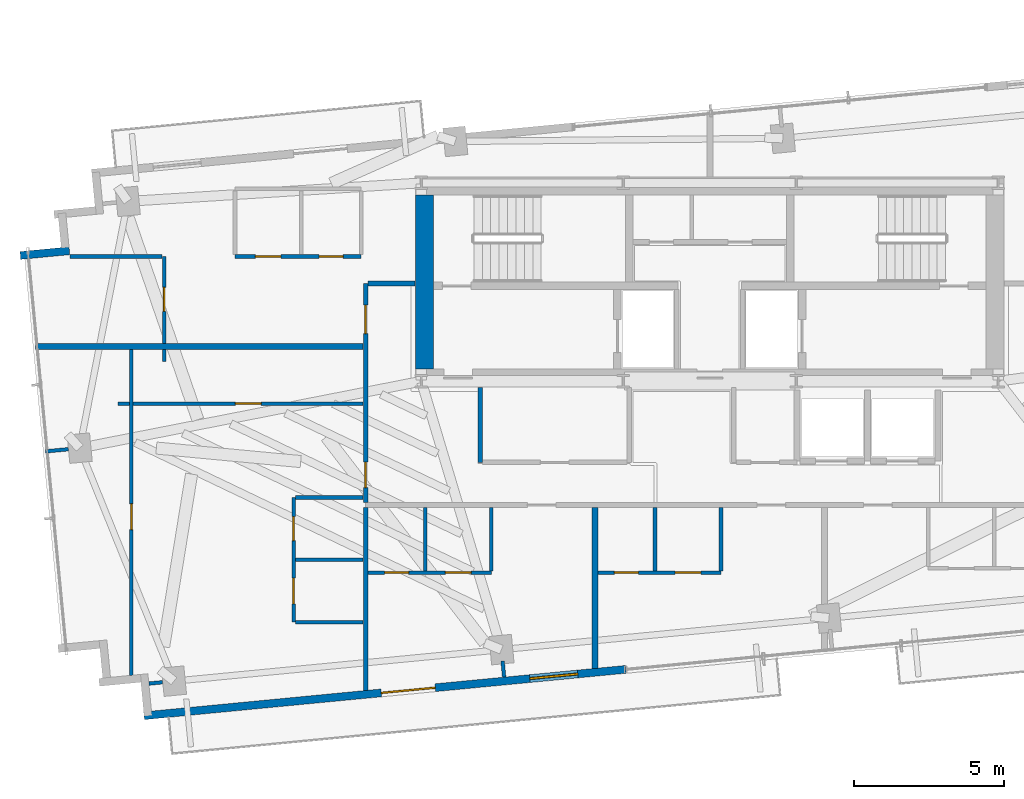
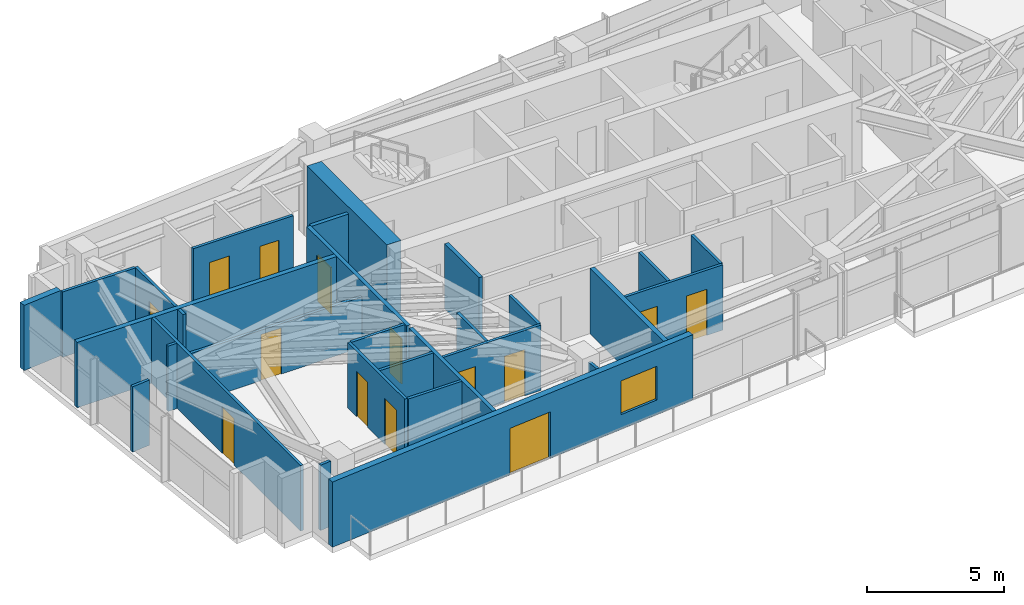
# One storey, part 13 of 18: 29 walls, 14 doors, 1 window, 15 openings.
"""IFC4 building model written with IfcOpenShell, lengths in metres."""

import ifcopenshell
import ifcopenshell.guid

model = None  # the IFC model being written
_history = None  # IfcOwnerHistory: only IFC2X3 demands one
_inside = {}  # id of a spatial element -> (the spatial element, [elements in it])
_under = {}  # id of a project, library or spatial element -> (it, [spatial elements below it])
_declared = {}  # id of a project -> (the project, [libraries it declares])
_typed = {}  # id of a type object -> (the type object, [elements of that type])
_made_of = {}  # id of a material, layer set ... -> (it, [elements and type objects made of it])


def new_model(schema):
    """Start an empty IFC model of exactly this schema.

    Asked for "IFC4X3", IfcOpenShell would pick the latest addendum, in which some entities
    have other attributes; the version numbers below select the first issue.
    IFC2X3 requires an IfcOwnerHistory on every rooted entity: one is made here for all.
    """
    global model, _history
    if schema == "IFC4X3":
        model = ifcopenshell.file(schema_version=(4, 3, 0, 0))
    else:
        model = ifcopenshell.file(schema=schema)
    _inside.clear()
    _under.clear()
    _declared.clear()
    _typed.clear()
    _made_of.clear()
    _history = None
    if model.schema == "IFC2X3":
        org = make("IfcOrganization", Name="unknown")
        user = make(
            "IfcPersonAndOrganization",
            ThePerson=make("IfcPerson", FamilyName="unknown"),
            TheOrganization=org,
        )
        app = make(
            "IfcApplication",
            ApplicationDeveloper=org,
            Version="unknown",
            ApplicationFullName="unknown",
            ApplicationIdentifier="unknown",
        )
        _history = make(
            "IfcOwnerHistory",
            OwningUser=user,
            OwningApplication=app,
            ChangeAction="ADDED",
            CreationDate=0,
        )
    return model


def make(cls, **values):
    """One entity of the class cls with the attributes given. An attribute that is None is left unset."""
    return model.create_entity(
        cls, **{name: value for name, value in values.items() if value is not None}
    )


def rooted(cls, **values):
    """An entity with a GlobalId (a new one), such as an element, a storey or a relation."""
    return make(cls, GlobalId=ifcopenshell.guid.new(), OwnerHistory=_history, **values)


def si_unit(unit_type, name, prefix=None):
    """IfcSIUnit, for example si_unit("LENGTHUNIT", "METRE", prefix="MILLI")."""
    return make("IfcSIUnit", UnitType=unit_type, Prefix=prefix, Name=name)


def assignment(units):
    """IfcUnitAssignment: the units of a project."""
    return None if units is None else make("IfcUnitAssignment", Units=units)


def point(xyz):
    """IfcCartesianPoint."""
    return None if xyz is None else make("IfcCartesianPoint", Coordinates=xyz)


def direction(xyz):
    """IfcDirection."""
    return None if xyz is None else make("IfcDirection", DirectionRatios=xyz)


def frame(location, z_axis=None, x_axis=None):
    """IfcAxis2Placement3D, a coordinate frame: its origin and axes. An axis left out is left unset."""
    return make(
        "IfcAxis2Placement3D",
        Location=point(location),
        Axis=direction(z_axis),
        RefDirection=direction(x_axis),
    )


def frame_2d(location, x_axis=None):
    """IfcAxis2Placement2D, a coordinate frame in the plane: its origin and x axis."""
    return make(
        "IfcAxis2Placement2D", Location=point(location), RefDirection=direction(x_axis)
    )


def origin():
    """The frame at (0, 0, 0) with its axes left unset."""
    return frame((0.0, 0.0, 0.0))


def place(relative_to, where):
    """IfcLocalPlacement: puts the frame where relative to a parent placement (None: the world)."""
    return make(
        "IfcLocalPlacement", PlacementRelTo=relative_to, RelativePlacement=where
    )


def context(
    kind, dimensions, precision=None, world=None, true_north=None, identifier=None
):
    """IfcGeometricRepresentationContext, for example the 3D "Model" context."""
    return make(
        "IfcGeometricRepresentationContext",
        ContextIdentifier=identifier,
        ContextType=kind,
        CoordinateSpaceDimension=dimensions,
        Precision=precision,
        WorldCoordinateSystem=world,
        TrueNorth=true_north,
    )


def subcontext(parent, identifier, kind, view, scale=None):
    """IfcGeometricRepresentationSubContext, for example "Body" below "Model"."""
    return make(
        "IfcGeometricRepresentationSubContext",
        ContextIdentifier=identifier,
        ContextType=kind,
        ParentContext=parent,
        TargetScale=scale,
        TargetView=view,
    )


def project(units=None, contexts=None):
    """IfcProject with its units and contexts."""
    return rooted(
        "IfcProject",
        Name="project",
        RepresentationContexts=contexts,
        UnitsInContext=assignment(units),
    )


def spatial(cls, under=None, at=None, **own):
    """A site, building, storey or space (cls), placed at a placement, below another one or the project."""
    s = rooted(cls, ObjectPlacement=at, **own)
    if under is not None:
        _under.setdefault(under.id(), (under, []))[1].append(s)
    return s


def profile(cls, at=None, kind="AREA", **sizes):
    """A parametric profile (cls). Its sizes go by their IFC names, for example OverallWidth=200.0."""
    return make(cls, ProfileType=kind, Position=at, **sizes)


def rectangle(**sizes):
    """IfcRectangleProfileDef."""
    return profile("IfcRectangleProfileDef", **sizes)


def extrude(swept, where, along, depth):
    """IfcExtrudedAreaSolid: the profile swept, set in the frame where, extruded along a direction by depth."""
    return make(
        "IfcExtrudedAreaSolid",
        SweptArea=swept,
        Position=where,
        ExtrudedDirection=direction(along),
        Depth=depth,
    )


def shape(context_of_items, identifier, shape_type, items):
    """IfcShapeRepresentation: the items that make up one representation, for example the "Body"."""
    return make(
        "IfcShapeRepresentation",
        ContextOfItems=context_of_items,
        RepresentationIdentifier=identifier,
        RepresentationType=shape_type,
        Items=items,
    )


def source(mapping_origin, context_of_items, identifier, shape_type, items):
    """IfcRepresentationMap: a shape defined once, which mapped items show again and again."""
    return make(
        "IfcRepresentationMap",
        MappingOrigin=mapping_origin,
        MappedRepresentation=shape(context_of_items, identifier, shape_type, items),
    )


def transform(
    local_origin,
    x_axis=None,
    y_axis=None,
    z_axis=None,
    scale=None,
    scale2=None,
    scale3=None,
    uniform=True,
):
    """IfcCartesianTransformationOperator3D, or its non-uniform kind. x_axis, y_axis, z_axis: its Axis1, 2, 3."""
    if uniform:
        return make(
            "IfcCartesianTransformationOperator3D",
            Axis1=direction(x_axis),
            Axis2=direction(y_axis),
            LocalOrigin=point(local_origin),
            Scale=scale,
            Axis3=direction(z_axis),
        )
    return make(
        "IfcCartesianTransformationOperator3DnonUniform",
        Axis1=direction(x_axis),
        Axis2=direction(y_axis),
        LocalOrigin=point(local_origin),
        Scale=scale,
        Axis3=direction(z_axis),
        Scale2=scale2,
        Scale3=scale3,
    )


def mapped(mapping_source, mapping_target):
    """IfcMappedItem: shows the shape of a source again, moved by a transform."""
    return make(
        "IfcMappedItem", MappingSource=mapping_source, MappingTarget=mapping_target
    )


def material(Name=None, Category=None):
    """IfcMaterial."""
    return make("IfcMaterial", Name=Name, Category=Category)


def layer(
    of_material, thickness, ventilated=None, Name=None, Category=None, Priority=None
):
    """IfcMaterialLayer: one layer of a wall or slab, of a material (None: an air gap)."""
    return make(
        "IfcMaterialLayer",
        Material=of_material,
        LayerThickness=thickness,
        IsVentilated=ventilated,
        Name=Name,
        Category=Category,
        Priority=Priority,
    )


def layer_set(layers, Name=None):
    """IfcMaterialLayerSet."""
    return make("IfcMaterialLayerSet", MaterialLayers=layers, LayerSetName=Name)


def made_of(thing, what):
    """Note that an element or type object is made of a material, layer set ...; save() writes the relation."""
    if what is not None:
        _made_of.setdefault(what.id(), (what, []))[1].append(thing)
    return thing


def type_object(cls, material=None, **own):
    """A type object (cls), such as IfcWallType, which elements share."""
    return made_of(rooted(cls, **own), material)


def type_shapes(of_type, sources):
    """Give a type object the sources (RepresentationMaps) that its elements show as mapped items."""
    of_type.RepresentationMaps = sources


def element(
    cls,
    number,
    at=None,
    inside=None,
    cuts=None,
    type_object=None,
    material=None,
    context=None,
    identifier="Body",
    shape_type=None,
    held_by="IfcProductDefinitionShape",
    body=None,
    shapes=None,
    **own,
):
    """One element of the class cls, such as IfcWall. Its Tag is "e" and its number.

    at: its placement. inside: the storey or other place that contains it. cuts: it is an
    opening in that element (IfcRelVoidsElement). A single representation is given by context,
    identifier, shape_type and body (its items); several are given by shapes. held_by: the class
    of the entity that holds the representations. save() writes the other relations.
    """
    e = rooted(cls, Tag="e%d" % number, ObjectPlacement=at, **own)
    if body is not None:
        shapes = [shape(context, identifier, shape_type, body)]
    if shapes is not None:
        e.Representation = make(held_by, Representations=shapes)
    if inside is not None:
        _inside.setdefault(inside.id(), (inside, []))[1].append(e)
    if cuts is not None:
        rooted(
            "IfcRelVoidsElement", RelatingBuildingElement=cuts, RelatedOpeningElement=e
        )
    if type_object is not None:
        _typed.setdefault(type_object.id(), (type_object, []))[1].append(e)
    return made_of(e, material)


def fill(opening, filler):
    """IfcRelFillsElement: the door or window that sits in an opening."""
    return rooted(
        "IfcRelFillsElement",
        RelatingOpeningElement=opening,
        RelatedBuildingElement=filler,
    )


def aggregate(whole, parts):
    """IfcRelAggregates: a whole, such as a stair, and the parts it consists of."""
    return rooted("IfcRelAggregates", RelatingObject=whole, RelatedObjects=parts)


def save(model, path):
    """Write the relations noted so far, then the file.

    IfcRelAggregates (storeys below a building ...), IfcRelContainedInSpatialStructure (elements
    in a storey), IfcRelDefinesByType, IfcRelAssociatesMaterial and IfcRelDeclares: one each for
    every whole, place, type object, material and project.
    """
    for whole, parts in _under.values():
        aggregate(whole, parts)
    for where, things in _inside.values():
        rooted(
            "IfcRelContainedInSpatialStructure",
            RelatedElements=things,
            RelatingStructure=where,
        )
    for kind, things in _typed.values():
        rooted("IfcRelDefinesByType", RelatedObjects=things, RelatingType=kind)
    for what, things in _made_of.values():
        rooted("IfcRelAssociatesMaterial", RelatedObjects=things, RelatingMaterial=what)
    for by, libraries in _declared.values():
        rooted("IfcRelDeclares", RelatingContext=by, RelatedDefinitions=libraries)
    model.write(path)


model = new_model("IFC4")

# Units and contexts
model_context = context("Model", 3, precision=1e-05, world=origin(), true_north=direction((0.0, 1.0)))
body_context = subcontext(model_context, "Body", "Model", "MODEL_VIEW")
ifc_project = project(units=[si_unit("LENGTHUNIT", "METRE"), si_unit("AREAUNIT", "SQUARE_METRE"), si_unit("VOLUMEUNIT", "CUBIC_METRE"), si_unit("PLANEANGLEUNIT", "RADIAN"), si_unit("MASSUNIT", "GRAM", prefix="KILO")], contexts=[model_context])

# Site, building, storey
site_placement = place(None, origin())
site = spatial("IfcSite", under=ifc_project, at=site_placement, CompositionType="ELEMENT")
building_placement = place(site_placement, origin())
building = spatial("IfcBuilding", under=site, at=building_placement, Name="Astriad Promenade Condominiums", CompositionType="ELEMENT")
storey_placement = place(building_placement, frame((0.0, 0.0, 208.199951171875)))
storey = spatial("IfcBuildingStorey", under=building, at=storey_placement, Name="L60", CompositionType="ELEMENT", Elevation=208.199951171875)

# Walls
ifc_material_1 = material(Name="Concrete C50/60", Category="concrete")
ifc_layer_1 = layer(ifc_material_1, 0.60009765625)
ifc_layer_set_1 = layer_set([ifc_layer_1], Name="Concrete C50/60")
wall_type_1 = type_object("IfcWallType", Name="CW-SHEAR-600", PredefinedType="SHEAR", material=ifc_layer_set_1)
wall_1_placement = place(storey_placement, frame((26.5, 17.802001953125, 0.0), z_axis=(0.0, 0.0, 1.0), x_axis=(0.0, 1.0, 0.0)))
element("IfcWall", 1, at=wall_1_placement, inside=storey, type_object=wall_type_1, Name="CW-CORE-W-L60", PredefinedType="SHEAR", context=body_context, shape_type="SweptSolid", body=[
    extrude(rectangle(XDim=5.7958984375, YDim=0.60009765625, at=frame_2d((2.89794921875, 0.0))), origin(), (0.0, 0.0, 1.0), 3.199951171875),
])
ifc_material_2 = material(Name="Fire-Rated Gypsum Partition")
ifc_layer_2 = layer(ifc_material_2, 0.159912109375)
ifc_layer_set_2 = layer_set([ifc_layer_2], Name="Fire-Rated Gypsum Partition")
wall_type_2 = type_object("IfcWallType", Name="WALL-CORR-160", PredefinedType="PARTITIONING", material=ifc_layer_set_2)
wall_2_placement = place(storey_placement, frame((24.550048828125, 7.110107421875, 0.0), z_axis=(0.0, 0.0, 1.0), x_axis=(0.0, 1.0, 0.0)))
element("IfcWall", 2, at=wall_2_placement, inside=storey, type_object=wall_type_2, Name="PT-COR-W-L60", PredefinedType="PARTITIONING", context=body_context, shape_type="SweptSolid", body=[
    extrude(rectangle(XDim=6.087890625, YDim=0.159912109375, at=frame_2d((3.0439453125, 0.0))), origin(), (0.0, 0.0, 1.0), 2.900146484375),
])

# Wall, openings, doors
wall_3_placement = place(storey_placement, frame((24.550048828125, 13.362060546875, 0.0), z_axis=(0.0, 0.0, 1.0), x_axis=(0.0, 1.0, 0.0)))
wall_3 = element("IfcWall", 3, at=wall_3_placement, inside=storey, type_object=wall_type_2, Name="PT-COR-W-L60-S2", PredefinedType="PARTITIONING", context=body_context, shape_type="SweptSolid", body=[
    extrude(rectangle(XDim=7.287841796875, YDim=0.159912109375, at=frame_2d((3.64404296875, 0.0))), origin(), (0.0, 0.0, 1.0), 2.900146484375),
])
opening_1_placement = place(wall_3_placement, frame((0.492919921875, 0.0, 0.0)))
opening_1 = element("IfcOpeningElement", 4, at=opening_1_placement, cuts=wall_3, Name="Opening FD60-ULOW-085", PredefinedType="OPENING", context=body_context, shape_type="SweptSolid", body=[
    extrude(rectangle(XDim=0.85009765625, YDim=2.0, at=frame_2d((0.425048828125, 1.0))), frame((0.0, 0.08984375, 0.0), z_axis=(0.0, -1.0, 0.0), x_axis=(1.0, 0.0, 0.0)), (0.0, 0.0, 1.0), 0.179931640625),
])
opening_2_placement = place(wall_3_placement, frame((5.623046875, 0.0, 0.0)))
opening_2 = element("IfcOpeningElement", 5, at=opening_2_placement, cuts=wall_3, Name="Opening FD60-APT-095", PredefinedType="OPENING", context=body_context, shape_type="SweptSolid", body=[
    extrude(rectangle(XDim=0.949951171875, YDim=2.06005859375, at=frame_2d((0.47509765625, 1.030029296875))), frame((0.0, 0.08984375, 0.0), z_axis=(0.0, -1.0, 0.0), x_axis=(1.0, 0.0, 0.0)), (0.0, 0.0, 1.0), 0.179931640625),
])
ifc_material_3 = material(Name="Solid-Core Acoustic Timber Residence Entry Door", Category="wood")
door_type_1 = type_object("IfcDoorType", Name="FD60-APT-095", OperationType="NOTDEFINED", PredefinedType="DOOR", material=ifc_material_3)
shared_shape_1 = source(origin(), body_context, "Body", "SweptSolid", [
    extrude(rectangle(XDim=0.949951171875, YDim=2.06005859375, at=frame_2d((0.47509765625, 1.030029296875))), frame((0.0, 0.02490234375, 0.0), z_axis=(0.0, -1.0, 0.0), x_axis=(1.0, 0.0, 0.0)), (0.0, 0.0, 1.0), 0.050048828125),
])
type_shapes(door_type_1, [shared_shape_1])
door_1_placement = place(opening_2_placement, origin())
door_1 = element("IfcDoor", 6, at=door_1_placement, inside=storey, type_object=door_type_1, Name="D-ENT-L60-W2", OperationType="SINGLE_SWING_RIGHT", OverallHeight=2.06005859375, OverallWidth=0.949951171875, PredefinedType="DOOR", context=body_context, shape_type="MappedRepresentation", body=[
    mapped(shared_shape_1, transform((0.0, 0.0, 0.0), scale=1.0)),
])
fill(opening_2, door_1)
ifc_material_4 = material(Name="Solid-Core Low-Headroom Fire Door")
door_type_2 = type_object("IfcDoorType", Name="FD60-ULOW-085", OperationType="NOTDEFINED", PredefinedType="DOOR", material=ifc_material_4)
shared_shape_2 = source(origin(), body_context, "Body", "SweptSolid", [
    extrude(rectangle(XDim=0.85009765625, YDim=2.0, at=frame_2d((0.425048828125, 1.0))), frame((0.0, 0.02490234375, 0.0), z_axis=(0.0, -1.0, 0.0), x_axis=(1.0, 0.0, 0.0)), (0.0, 0.0, 1.0), 0.050048828125),
])
type_shapes(door_type_2, [shared_shape_2])
door_2_placement = place(opening_1_placement, origin())
door_2 = element("IfcDoor", 7, at=door_2_placement, inside=storey, type_object=door_type_2, Name="D-ENT-L60-W1", OperationType="SINGLE_SWING_LEFT", OverallHeight=2.0, OverallWidth=0.85009765625, PredefinedType="DOOR", context=body_context, shape_type="MappedRepresentation", body=[
    mapped(shared_shape_2, transform((0.0, 0.0, 0.0), scale=1.0)),
])
fill(opening_1, door_2)

# Walls
wall_4_placement = place(storey_placement, frame((24.632080078125, 20.64990234375, 0.0), z_axis=(0.0, 0.0, 1.0), x_axis=(1.0, 0.0, 0.0)))
element("IfcWall", 8, at=wall_4_placement, inside=storey, type_object=wall_type_2, Name="PT-Z3W-N-L60", PredefinedType="PARTITIONING", context=body_context, shape_type="SweptSolid", body=[
    extrude(rectangle(XDim=1.56591796875, YDim=0.159912109375, at=frame_2d((0.782958984375, 0.0))), origin(), (0.0, 0.0, 1.0), 2.900146484375),
])
wall_5_placement = place(storey_placement, frame((28.360107421875, 14.699951171875, 0.0), z_axis=(0.0, 0.0, 1.0), x_axis=(0.0, 1.0, 0.0)))
element("IfcWall", 9, at=wall_5_placement, inside=storey, type_object=wall_type_2, Name="PT-Z3REC-W-L60", PredefinedType="PARTITIONING", context=body_context, shape_type="SweptSolid", body=[
    extrude(rectangle(XDim=2.498046875, YDim=0.159912109375, at=frame_2d((1.2490234375, 0.0))), origin(), (0.0, 0.0, 1.0), 2.900146484375),
])
ifc_material_5 = material(Name="Acoustic Double-Stud Gypsum Partition")
ifc_layer_3 = layer(ifc_material_5, 0.199951171875)
ifc_layer_set_3 = layer_set([ifc_layer_3], Name="Acoustic Double-Stud Gypsum Partition")
wall_type_3 = type_object("IfcWallType", Name="WALL-DEMISING-200", PredefinedType="PARTITIONING", material=ifc_layer_set_3)
wall_6_placement = place(storey_placement, frame((32.176025390625, 7.84423828125, 0.0), z_axis=(0.0, 0.0, 1.0), x_axis=(0.0, 1.0, 0.0)))
element("IfcWall", 10, at=wall_6_placement, inside=storey, type_object=wall_type_3, Name="PT-DEM-S1-L60", PredefinedType="PARTITIONING", context=body_context, shape_type="SweptSolid", body=[
    extrude(rectangle(XDim=5.353759765625, YDim=0.199951171875, at=frame_2d((2.6767578125, 0.0))), origin(), (0.0, 0.0, 1.0), 2.900146484375),
])
wall_7_placement = place(storey_placement, frame((13.561279296875, 18.550048828125, 0.0), z_axis=(0.0, 0.0, 1.0), x_axis=(1.0, 0.0, 0.0)))
element("IfcWall", 11, at=wall_7_placement, inside=storey, type_object=wall_type_3, Name="PT-DEM-WW-L60", PredefinedType="PARTITIONING", context=body_context, shape_type="SweptSolid", body=[
    extrude(rectangle(XDim=10.90673828125, YDim=0.199951171875, at=frame_2d((5.453369140625, 0.0))), origin(), (0.0, 0.0, 1.0), 2.900146484375),
])
ifc_material_6 = material(Name="Precast concrete C50/60", Category="concrete")
ifc_layer_4 = layer(ifc_material_6, 0.260009765625)
ifc_layer_set_4 = layer_set([ifc_layer_4], Name="Precast concrete C50/60")
wall_type_4 = type_object("IfcWallType", Name="WALL-EXT-TWR-260", PredefinedType="STANDARD", material=ifc_layer_set_4)
wall_8_placement = place(storey_placement, frame((13.058349609375, 21.583251953125, 0.0), z_axis=(0.0, 0.0, 1.0), x_axis=(0.995394563142, 0.095862733462, 0.0)))
element("IfcWall", 12, at=wall_8_placement, inside=storey, type_object=wall_type_4, Name="W-SER-L60-04", PredefinedType="STANDARD", context=body_context, shape_type="SweptSolid", body=[
    extrude(rectangle(XDim=1.64013671875, YDim=0.260009765625, at=frame_2d((0.820068359375, 0.0))), origin(), (0.0, 0.0, 1.0), 2.900146484375),
])

# Wall, openings, door, window
wall_9_placement = place(storey_placement, frame((33.201171875, 7.810302734375, 0.0), z_axis=(0.0, 0.0, 1.0), x_axis=(-0.995397074604, -0.095836652014, 0.0)))
wall_9 = element("IfcWall", 13, at=wall_9_placement, inside=storey, type_object=wall_type_4, Name="W-EXT-L60-S2", PredefinedType="STANDARD", context=body_context, shape_type="SweptSolid", body=[
    extrude(rectangle(XDim=16.10009765625, YDim=0.260009765625, at=frame_2d((8.050048828125, 0.0))), origin(), (0.0, 0.0, 1.0), 2.900146484375),
])
opening_3_placement = place(wall_9_placement, frame((6.3701171875, 0.0, 0.0)))
opening_3 = element("IfcOpeningElement", 14, at=opening_3_placement, cuts=wall_9, Name="Opening BD-1822-SLD", PredefinedType="OPENING", context=body_context, shape_type="SweptSolid", body=[
    extrude(rectangle(XDim=1.800048828125, YDim=2.06005859375, at=frame_2d((0.89990234375, 1.030029296875))), frame((0.0, 0.139892578125, 0.0), z_axis=(0.0, -1.0, 0.0), x_axis=(1.0, 0.0, 0.0)), (0.0, 0.0, 1.0), 0.280029296875),
])
opening_4_placement = place(wall_9_placement, frame((1.60009765625, 0.0, 0.64990234375)))
opening_4 = element("IfcOpeningElement", 15, at=opening_4_placement, cuts=wall_9, Name="Opening WIN-TWR-1620", PredefinedType="OPENING", context=body_context, shape_type="SweptSolid", body=[
    extrude(rectangle(XDim=1.60009765625, YDim=1.5, at=frame_2d((0.800048828125, 0.75))), frame((0.0, 0.139892578125, 0.0), z_axis=(0.0, -1.0, 0.0), x_axis=(1.0, 0.0, 0.0)), (0.0, 0.0, 1.0), 0.280029296875),
])
ifc_material_7 = material(Name="Thermally Broken Aluminium Sliding Balcony Door", Category="aluminium")
door_type_3 = type_object("IfcDoorType", Name="BD-1822-SLD", OperationType="NOTDEFINED", PredefinedType="DOOR", material=ifc_material_7)
shared_shape_3 = source(origin(), body_context, "Body", "SweptSolid", [
    extrude(rectangle(XDim=1.800048828125, YDim=2.06005859375, at=frame_2d((0.89990234375, 1.030029296875))), frame((0.0, 0.02490234375, 0.0), z_axis=(0.0, -1.0, 0.0), x_axis=(1.0, 0.0, 0.0)), (0.0, 0.0, 1.0), 0.050048828125),
])
type_shapes(door_type_3, [shared_shape_3])
door_3_placement = place(opening_3_placement, origin())
door_3 = element("IfcDoor", 16, at=door_3_placement, inside=storey, type_object=door_type_3, Name="BD-L60-SW", OperationType="SLIDING_TO_LEFT", OverallHeight=2.06005859375, OverallWidth=1.800048828125, PredefinedType="DOOR", context=body_context, shape_type="MappedRepresentation", body=[
    mapped(shared_shape_3, transform((0.0, 0.0, 0.0), scale=1.0)),
])
fill(opening_3, door_3)
ifc_material_8 = material(Name="Dark Tinted Triple-Glazed Aluminium Window", Category="aluminium")
window_type = type_object("IfcWindowType", Name="WIN-TWR-1620", PartitioningType="SINGLE_PANEL", PredefinedType="WINDOW", material=ifc_material_8)
shared_shape_4 = source(origin(), body_context, "Body", "SweptSolid", [
    extrude(rectangle(XDim=1.60009765625, YDim=1.5, at=frame_2d((0.800048828125, 0.75))), frame((0.0, 0.030029296875, 0.0), z_axis=(0.0, -1.0, 0.0), x_axis=(1.0, 0.0, 0.0)), (0.0, 0.0, 1.0), 0.06005859375),
])
type_shapes(window_type, [shared_shape_4])
window_placement = place(opening_4_placement, origin())
window = element("IfcWindow", 17, at=window_placement, inside=storey, type_object=window_type, Name="WIN-L60-SW", OverallHeight=1.5, OverallWidth=1.60009765625, PartitioningType="SINGLE_PANEL", PredefinedType="WINDOW", context=body_context, shape_type="MappedRepresentation", body=[
    mapped(shared_shape_4, transform((0.0, 0.0, 0.0), scale=1.0)),
])
fill(opening_4, window)

# Wall, openings, doors
ifc_material_9 = material(Name="Acoustic Metal-Stud Gypsum Partition")
ifc_layer_5 = layer(ifc_material_9, 0.1201171875)
ifc_layer_set_5 = layer_set([ifc_layer_5], Name="Acoustic Metal-Stud Gypsum Partition")
wall_type_5 = type_object("IfcWallType", Name="WALL-PART-120", PredefinedType="PARTITIONING", material=ifc_layer_set_5)
wall_10_placement = place(storey_placement, frame((24.632080078125, 11.030029296875, 0.0), z_axis=(0.0, 0.0, 1.0), x_axis=(1.0, 0.0, 0.0)))
wall_10 = element("IfcWall", 18, at=wall_10_placement, inside=storey, type_object=wall_type_5, Name="PT-L60-S1-PS", PredefinedType="PARTITIONING", context=body_context, shape_type="SweptSolid", body=[
    extrude(rectangle(XDim=4.097900390625, YDim=0.1201171875, at=frame_2d((2.048828125, 0.0))), origin(), (0.0, 0.0, 1.0), 2.900146484375),
])
opening_5_placement = place(wall_10_placement, frame((0.548095703125, 0.0, 0.0)))
opening_5 = element("IfcOpeningElement", 19, at=opening_5_placement, cuts=wall_10, Name="Opening D-WET-080", PredefinedType="OPENING", context=body_context, shape_type="SweptSolid", body=[
    extrude(rectangle(XDim=0.800048828125, YDim=2.02001953125, at=frame_2d((0.39990234375, 1.010009765625))), frame((0.0, 0.070068359375, 0.0), z_axis=(0.0, -1.0, 0.0), x_axis=(1.0, 0.0, 0.0)), (0.0, 0.0, 1.0), 0.14013671875),
])
opening_6_placement = place(wall_10_placement, frame((2.572998046875, 0.0, 0.0)))
opening_6 = element("IfcOpeningElement", 20, at=opening_6_placement, cuts=wall_10, Name="Opening D-INT-085", PredefinedType="OPENING", context=body_context, shape_type="SweptSolid", body=[
    extrude(rectangle(XDim=0.85009765625, YDim=2.050048828125, at=frame_2d((0.425048828125, 1.02490234375))), frame((0.0, 0.070068359375, 0.0), z_axis=(0.0, -1.0, 0.0), x_axis=(1.0, 0.0, 0.0)), (0.0, 0.0, 1.0), 0.14013671875),
])
ifc_material_10 = material(Name="Moisture-Resistant Timber Bathroom Door", Category="wood")
door_type_4 = type_object("IfcDoorType", Name="D-WET-080", OperationType="NOTDEFINED", PredefinedType="DOOR", material=ifc_material_10)
shared_shape_5 = source(origin(), body_context, "Body", "SweptSolid", [
    extrude(rectangle(XDim=0.800048828125, YDim=2.02001953125, at=frame_2d((0.39990234375, 1.010009765625))), frame((0.0, 0.02490234375, 0.0), z_axis=(0.0, -1.0, 0.0), x_axis=(1.0, 0.0, 0.0)), (0.0, 0.0, 1.0), 0.050048828125),
])
type_shapes(door_type_4, [shared_shape_5])
door_4_placement = place(opening_5_placement, origin())
door_4 = element("IfcDoor", 21, at=door_4_placement, inside=storey, type_object=door_type_4, Name="D-BTH-L60-S1", OperationType="SINGLE_SWING_LEFT", OverallHeight=2.02001953125, OverallWidth=0.800048828125, PredefinedType="DOOR", context=body_context, shape_type="MappedRepresentation", body=[
    mapped(shared_shape_5, transform((0.0, 0.0, 0.0), scale=1.0)),
])
fill(opening_5, door_4)
ifc_material_11 = material(Name="Painted Solid-Core Timber Room Door", Category="wood")
door_type_5 = type_object("IfcDoorType", Name="D-INT-085", OperationType="NOTDEFINED", PredefinedType="DOOR", material=ifc_material_11)
shared_shape_6 = source(origin(), body_context, "Body", "SweptSolid", [
    extrude(rectangle(XDim=0.85009765625, YDim=2.050048828125, at=frame_2d((0.425048828125, 1.02490234375))), frame((0.0, 0.02490234375, 0.0), z_axis=(0.0, -1.0, 0.0), x_axis=(1.0, 0.0, 0.0)), (0.0, 0.0, 1.0), 0.050048828125),
])
type_shapes(door_type_5, [shared_shape_6])
door_5_placement = place(opening_6_placement, origin())
door_5 = element("IfcDoor", 22, at=door_5_placement, inside=storey, type_object=door_type_5, Name="D-KIT-L60-S1", OperationType="SINGLE_SWING_RIGHT", OverallHeight=2.050048828125, OverallWidth=0.85009765625, PredefinedType="DOOR", context=body_context, shape_type="MappedRepresentation", body=[
    mapped(shared_shape_6, transform((0.0, 0.0, 0.0), scale=1.0)),
])
fill(opening_6, door_5)

# Walls
for number, where, z_axis, x_axis, name in (
    (23, (28.72998046875, 11.092041015625, 0.0), (0.0, 0.0, 1.0), (0.0, 1.0, 0.0), "PT-L60-S1-PK"),
    (24, (26.530029296875, 11.092041015625, 0.0), (0.0, 0.0, 1.0), (0.0, 1.0, 0.0), "PT-L60-S1-PB"),
):
    element("IfcWall", number, at=place(storey_placement, frame(where, z_axis=z_axis, x_axis=x_axis)), inside=storey, type_object=wall_type_5, Name=name, PredefinedType="PARTITIONING", context=body_context, shape_type="SweptSolid", body=[
        extrude(rectangle(XDim=2.10595703125, YDim=0.1201171875, at=frame_2d((1.052978515625, 0.0))), origin(), (0.0, 0.0, 1.0), 2.900146484375),
    ])

# Wall, openings, doors
wall_11_placement = place(storey_placement, frame((32.278076171875, 11.030029296875, 0.0), z_axis=(0.0, 0.0, 1.0), x_axis=(1.0, 0.0, 0.0)))
wall_11 = element("IfcWall", 25, at=wall_11_placement, inside=storey, type_object=wall_type_5, Name="PT-L60-S2-PS", PredefinedType="PARTITIONING", context=body_context, shape_type="SweptSolid", body=[
    extrude(rectangle(XDim=4.097900390625, YDim=0.1201171875, at=frame_2d((2.048828125, 0.0))), origin(), (0.0, 0.0, 1.0), 2.900146484375),
])
opening_7_placement = place(wall_11_placement, frame((0.548095703125, 0.0, 0.0)))
opening_7 = element("IfcOpeningElement", 26, at=opening_7_placement, cuts=wall_11, Name="Opening D-WET-080", PredefinedType="OPENING", context=body_context, shape_type="SweptSolid", body=[
    extrude(rectangle(XDim=0.800048828125, YDim=2.02001953125, at=frame_2d((0.39990234375, 1.010009765625))), frame((0.0, 0.070068359375, 0.0), z_axis=(0.0, -1.0, 0.0), x_axis=(1.0, 0.0, 0.0)), (0.0, 0.0, 1.0), 0.14013671875),
])
opening_8_placement = place(wall_11_placement, frame((2.572998046875, 0.0, 0.0)))
opening_8 = element("IfcOpeningElement", 27, at=opening_8_placement, cuts=wall_11, Name="Opening D-INT-085", PredefinedType="OPENING", context=body_context, shape_type="SweptSolid", body=[
    extrude(rectangle(XDim=0.85009765625, YDim=2.050048828125, at=frame_2d((0.425048828125, 1.02490234375))), frame((0.0, 0.070068359375, 0.0), z_axis=(0.0, -1.0, 0.0), x_axis=(1.0, 0.0, 0.0)), (0.0, 0.0, 1.0), 0.14013671875),
])
door_6_placement = place(opening_7_placement, origin())
door_6 = element("IfcDoor", 28, at=door_6_placement, inside=storey, type_object=door_type_4, Name="D-BTH-L60-S2", OperationType="SINGLE_SWING_RIGHT", OverallHeight=2.02001953125, OverallWidth=0.800048828125, PredefinedType="DOOR", context=body_context, shape_type="MappedRepresentation", body=[
    mapped(shared_shape_5, transform((0.0, 0.0, 0.0), scale=1.0)),
])
fill(opening_7, door_6)
door_7_placement = place(opening_8_placement, origin())
door_7 = element("IfcDoor", 29, at=door_7_placement, inside=storey, type_object=door_type_5, Name="D-KIT-L60-S2", OperationType="SINGLE_SWING_LEFT", OverallHeight=2.050048828125, OverallWidth=0.85009765625, PredefinedType="DOOR", context=body_context, shape_type="MappedRepresentation", body=[
    mapped(shared_shape_6, transform((0.0, 0.0, 0.0), scale=1.0)),
])
fill(opening_8, door_7)

# Walls
for number, where, z_axis, x_axis, name in (
    (30, (36.3759765625, 11.092041015625, 0.0), (0.0, 0.0, 1.0), (0.0, 1.0, 0.0), "PT-L60-S2-PK"),
    (31, (34.176025390625, 11.092041015625, 0.0), (0.0, 0.0, 1.0), (0.0, 1.0, 0.0), "PT-L60-S2-PB"),
):
    element("IfcWall", number, at=place(storey_placement, frame(where, z_axis=z_axis, x_axis=x_axis)), inside=storey, type_object=wall_type_5, Name=name, PredefinedType="PARTITIONING", context=body_context, shape_type="SweptSolid", body=[
        extrude(rectangle(XDim=2.10595703125, YDim=0.1201171875, at=frame_2d((1.052978515625, 0.0))), origin(), (0.0, 0.0, 1.0), 2.900146484375),
    ])

# Wall, openings, doors
wall_12_placement = place(storey_placement, frame((22.14990234375, 9.3798828125, 0.0), z_axis=(0.0, 0.0, 1.0), x_axis=(0.0, 1.0, 0.0)))
wall_12 = element("IfcWall", 32, at=wall_12_placement, inside=storey, type_object=wall_type_5, Name="PT-L60-W1-PV", PredefinedType="PARTITIONING", context=body_context, shape_type="SweptSolid", body=[
    extrude(rectangle(XDim=4.150146484375, YDim=0.1201171875, at=frame_2d((2.0751953125, 0.0))), origin(), (0.0, 0.0, 1.0), 2.900146484375),
])
opening_9_placement = place(wall_12_placement, frame((0.613037109375, 0.0, 0.0)))
opening_9 = element("IfcOpeningElement", 33, at=opening_9_placement, cuts=wall_12, Name="Opening D-INT-085", PredefinedType="OPENING", context=body_context, shape_type="SweptSolid", body=[
    extrude(rectangle(XDim=0.85009765625, YDim=2.050048828125, at=frame_2d((0.425048828125, 1.02490234375))), frame((0.0, 0.070068359375, 0.0), z_axis=(0.0, -1.0, 0.0), x_axis=(1.0, 0.0, 0.0)), (0.0, 0.0, 1.0), 0.14013671875),
])
opening_10_placement = place(wall_12_placement, frame((2.7119140625, 0.0, 0.0)))
opening_10 = element("IfcOpeningElement", 34, at=opening_10_placement, cuts=wall_12, Name="Opening D-WET-080", PredefinedType="OPENING", context=body_context, shape_type="SweptSolid", body=[
    extrude(rectangle(XDim=0.800048828125, YDim=2.02001953125, at=frame_2d((0.39990234375, 1.010009765625))), frame((0.0, 0.070068359375, 0.0), z_axis=(0.0, -1.0, 0.0), x_axis=(1.0, 0.0, 0.0)), (0.0, 0.0, 1.0), 0.14013671875),
])
door_8_placement = place(opening_10_placement, origin())
door_8 = element("IfcDoor", 35, at=door_8_placement, inside=storey, type_object=door_type_4, Name="D-BTH-L60-W1", OperationType="SINGLE_SWING_LEFT", OverallHeight=2.02001953125, OverallWidth=0.800048828125, PredefinedType="DOOR", context=body_context, shape_type="MappedRepresentation", body=[
    mapped(shared_shape_5, transform((0.0, 0.0, 0.0), scale=1.0)),
])
fill(opening_10, door_8)
door_9_placement = place(opening_9_placement, origin())
door_9 = element("IfcDoor", 36, at=door_9_placement, inside=storey, type_object=door_type_5, Name="D-KIT-L60-W1", OperationType="SINGLE_SWING_RIGHT", OverallHeight=2.050048828125, OverallWidth=0.85009765625, PredefinedType="DOOR", context=body_context, shape_type="MappedRepresentation", body=[
    mapped(shared_shape_6, transform((0.0, 0.0, 0.0), scale=1.0)),
])
fill(opening_9, door_9)

# Walls
for number, where, z_axis, x_axis, name in (
    (37, (22.2119140625, 11.455078125, 0.0), (0.0, 0.0, 1.0), (1.0, 0.0, 0.0), "PT-L60-W1-PM"),
    (38, (22.2119140625, 9.3798828125, 0.0), (0.0, 0.0, 1.0), (1.0, 0.0, 0.0), "PT-L60-W1-PS"),
    (39, (22.2119140625, 13.530029296875, 0.0), (0.0, 0.0, 1.0), (1.0, 0.0, 0.0), "PT-L60-W1-PN"),
):
    element("IfcWall", number, at=place(storey_placement, frame(where, z_axis=z_axis, x_axis=x_axis)), inside=storey, type_object=wall_type_5, Name=name, PredefinedType="PARTITIONING", context=body_context, shape_type="SweptSolid", body=[
        extrude(rectangle(XDim=2.256103515625, YDim=0.1201171875, at=frame_2d((1.1279296875, 0.0))), origin(), (0.0, 0.0, 1.0), 2.900146484375),
    ])

# Wall, opening, door
wall_13_placement = place(storey_placement, frame((16.7509765625, 7.61474609375, 0.0), z_axis=(0.0, 0.0, 1.0), x_axis=(0.0, 1.0, 0.0)))
wall_13 = element("IfcWall", 40, at=wall_13_placement, inside=storey, type_object=wall_type_5, Name="PT-L60-W1-B1", PredefinedType="PARTITIONING", context=body_context, shape_type="SweptSolid", body=[
    extrude(rectangle(XDim=10.833251953125, YDim=0.1201171875, at=frame_2d((5.41650390625, 0.0))), origin(), (0.0, 0.0, 1.0), 2.900146484375),
])
opening_11_placement = place(wall_13_placement, frame((4.84912109375, 0.0, 0.0)))
opening_11 = element("IfcOpeningElement", 41, at=opening_11_placement, cuts=wall_13, Name="Opening D-INT-085", PredefinedType="OPENING", context=body_context, shape_type="SweptSolid", body=[
    extrude(rectangle(XDim=0.85009765625, YDim=2.050048828125, at=frame_2d((0.425048828125, 1.02490234375))), frame((0.0, 0.070068359375, 0.0), z_axis=(0.0, -1.0, 0.0), x_axis=(1.0, 0.0, 0.0)), (0.0, 0.0, 1.0), 0.14013671875),
])
door_10_placement = place(opening_11_placement, origin())
door_10 = element("IfcDoor", 42, at=door_10_placement, inside=storey, type_object=door_type_5, Name="D-BD1-L60-W1", OperationType="SINGLE_SWING_RIGHT", OverallHeight=2.050048828125, OverallWidth=0.85009765625, PredefinedType="DOOR", context=body_context, shape_type="MappedRepresentation", body=[
    mapped(shared_shape_6, transform((0.0, 0.0, 0.0), scale=1.0)),
])
fill(opening_11, door_10)

# Wall
wall_14_placement = place(storey_placement, frame((16.31103515625, 16.65087890625, 0.0), z_axis=(0.0, 0.0, 1.0), x_axis=(1.0, 0.0, 0.0)))
element("IfcWall", 43, at=wall_14_placement, inside=storey, type_object=wall_type_5, Name="PT-L60-W1-WDN1", PredefinedType="PARTITIONING", context=body_context, shape_type="SweptSolid", body=[
    extrude(rectangle(XDim=0.3779296875, YDim=0.1201171875, at=frame_2d((0.18896484375, 0.0))), origin(), (0.0, 0.0, 1.0), 2.900146484375),
])

# Wall, opening, door
wall_15_placement = place(storey_placement, frame((16.81298828125, 16.65087890625, 0.0), z_axis=(0.0, 0.0, 1.0), x_axis=(1.0, 0.0, 0.0)))
wall_15 = element("IfcWall", 44, at=wall_15_placement, inside=storey, type_object=wall_type_5, Name="PT-L60-W1-WDN1-S2", PredefinedType="PARTITIONING", context=body_context, shape_type="SweptSolid", body=[
    extrude(rectangle(XDim=7.655029296875, YDim=0.1201171875, at=frame_2d((3.82763671875, 0.0))), origin(), (0.0, 0.0, 1.0), 2.241455078125),
])
opening_12_placement = place(wall_15_placement, frame((3.403076171875, 0.0, 0.0)))
opening_12 = element("IfcOpeningElement", 45, at=opening_12_placement, cuts=wall_15, Name="Opening D-INT-085", PredefinedType="OPENING", context=body_context, shape_type="SweptSolid", body=[
    extrude(rectangle(XDim=0.85009765625, YDim=2.050048828125, at=frame_2d((0.425048828125, 1.02490234375))), frame((0.0, 0.070068359375, 0.0), z_axis=(0.0, -1.0, 0.0), x_axis=(1.0, 0.0, 0.0)), (0.0, 0.0, 1.0), 0.14013671875),
])
door_11_placement = place(opening_12_placement, origin())
door_11 = element("IfcDoor", 46, at=door_11_placement, inside=storey, type_object=door_type_5, Name="D-WDN1-L60-W1", OperationType="SINGLE_SWING_LEFT", OverallHeight=2.050048828125, OverallWidth=0.85009765625, PredefinedType="DOOR", context=body_context, shape_type="MappedRepresentation", body=[
    mapped(shared_shape_6, transform((0.0, 0.0, 0.0), scale=1.0)),
])
fill(opening_12, door_11)

# Wall, openings, doors
wall_16_placement = place(storey_placement, frame((20.199951171875, 21.550048828125, 0.0), z_axis=(0.0, 0.0, 1.0), x_axis=(1.0, 0.0, 0.0)))
wall_16 = element("IfcWall", 47, at=wall_16_placement, inside=storey, type_object=wall_type_5, Name="PT-L60-W2-PH", PredefinedType="PARTITIONING", context=body_context, shape_type="SweptSolid", body=[
    extrude(rectangle(XDim=4.199951171875, YDim=0.1201171875, at=frame_2d((2.10009765625, 0.0))), origin(), (0.0, 0.0, 1.0), 2.900146484375),
])
opening_13_placement = place(wall_16_placement, frame((0.675048828125, 0.0, 0.0)))
opening_13 = element("IfcOpeningElement", 48, at=opening_13_placement, cuts=wall_16, Name="Opening D-INT-085", PredefinedType="OPENING", context=body_context, shape_type="SweptSolid", body=[
    extrude(rectangle(XDim=0.85009765625, YDim=2.050048828125, at=frame_2d((0.425048828125, 1.02490234375))), frame((0.0, 0.070068359375, 0.0), z_axis=(0.0, -1.0, 0.0), x_axis=(1.0, 0.0, 0.0)), (0.0, 0.0, 1.0), 0.14013671875),
])
opening_14_placement = place(wall_16_placement, frame((2.800048828125, 0.0, 0.0)))
opening_14 = element("IfcOpeningElement", 49, at=opening_14_placement, cuts=wall_16, Name="Opening D-WET-080", PredefinedType="OPENING", context=body_context, shape_type="SweptSolid", body=[
    extrude(rectangle(XDim=0.800048828125, YDim=2.02001953125, at=frame_2d((0.39990234375, 1.010009765625))), frame((0.0, 0.070068359375, 0.0), z_axis=(0.0, -1.0, 0.0), x_axis=(1.0, 0.0, 0.0)), (0.0, 0.0, 1.0), 0.14013671875),
])
door_12_placement = place(opening_14_placement, origin())
door_12 = element("IfcDoor", 50, at=door_12_placement, inside=storey, type_object=door_type_4, Name="D-BTH-L60-W2", OperationType="SINGLE_SWING_LEFT", OverallHeight=2.02001953125, OverallWidth=0.800048828125, PredefinedType="DOOR", context=body_context, shape_type="MappedRepresentation", body=[
    mapped(shared_shape_5, transform((0.0, 0.0, 0.0), scale=1.0)),
])
fill(opening_14, door_12)
door_13_placement = place(opening_13_placement, origin())
door_13 = element("IfcDoor", 51, at=door_13_placement, inside=storey, type_object=door_type_5, Name="D-KIT-L60-W2", OperationType="SINGLE_SWING_RIGHT", OverallHeight=2.050048828125, OverallWidth=0.85009765625, PredefinedType="DOOR", context=body_context, shape_type="MappedRepresentation", body=[
    mapped(shared_shape_6, transform((0.0, 0.0, 0.0), scale=1.0)),
])
fill(opening_13, door_13)

# Wall
wall_17_placement = place(storey_placement, frame((17.841064453125, 18.050048828125, 0.0), z_axis=(0.0, 0.0, 1.0), x_axis=(0.0, 1.0, 0.0)))
element("IfcWall", 52, at=wall_17_placement, inside=storey, type_object=wall_type_5, Name="PT-L60-W2-CAP1", PredefinedType="PARTITIONING", context=body_context, shape_type="SweptSolid", body=[
    extrude(rectangle(XDim=0.39794921875, YDim=0.1201171875, at=frame_2d((0.198974609375, 0.0))), origin(), (0.0, 0.0, 1.0), 2.900146484375),
])

# Wall, opening, door
wall_18_placement = place(storey_placement, frame((17.841064453125, 18.652099609375, 0.0), z_axis=(0.0, 0.0, 1.0), x_axis=(0.0, 1.0, 0.0)))
wall_18 = element("IfcWall", 53, at=wall_18_placement, inside=storey, type_object=wall_type_5, Name="PT-L60-W2-CAP1-S2", PredefinedType="PARTITIONING", context=body_context, shape_type="SweptSolid", body=[
    extrude(rectangle(XDim=2.89794921875, YDim=0.1201171875, at=frame_2d((1.448974609375, 0.0))), origin(), (0.0, 0.0, 1.0), 2.900146484375),
])
opening_15_placement = place(wall_18_placement, frame((1.072998046875, 0.0, 0.0)))
opening_15 = element("IfcOpeningElement", 54, at=opening_15_placement, cuts=wall_18, Name="Opening D-ULOW-080", PredefinedType="OPENING", context=body_context, shape_type="SweptSolid", body=[
    extrude(rectangle(XDim=0.800048828125, YDim=2.0, at=frame_2d((0.39990234375, 1.0))), frame((0.0, 0.070068359375, 0.0), z_axis=(0.0, -1.0, 0.0), x_axis=(1.0, 0.0, 0.0)), (0.0, 0.0, 1.0), 0.14013671875),
])
ifc_material_12 = material(Name="Painted Timber Low-Headroom Door", Category="wood")
door_type_6 = type_object("IfcDoorType", Name="D-ULOW-080", OperationType="NOTDEFINED", PredefinedType="DOOR", material=ifc_material_12)
shared_shape_7 = source(origin(), body_context, "Body", "SweptSolid", [
    extrude(rectangle(XDim=0.800048828125, YDim=2.0, at=frame_2d((0.39990234375, 1.0))), frame((0.0, 0.02490234375, 0.0), z_axis=(0.0, -1.0, 0.0), x_axis=(1.0, 0.0, 0.0)), (0.0, 0.0, 1.0), 0.050048828125),
])
type_shapes(door_type_6, [shared_shape_7])
door_14_placement = place(opening_15_placement, origin())
door_14 = element("IfcDoor", 55, at=door_14_placement, inside=storey, type_object=door_type_6, Name="D-CAP1-L60-W2", OperationType="SINGLE_SWING_LEFT", OverallHeight=2.0, OverallWidth=0.800048828125, PredefinedType="DOOR", context=body_context, shape_type="MappedRepresentation", body=[
    mapped(shared_shape_7, transform((0.0, 0.0, 0.0), scale=1.0)),
])
fill(opening_15, door_14)

# Walls
wall_19_placement = place(storey_placement, frame((14.708984375, 21.550048828125, 0.0), z_axis=(0.0, 0.0, 1.0), x_axis=(1.0, 0.0, 0.0)))
element("IfcWall", 56, at=wall_19_placement, inside=storey, type_object=wall_type_5, Name="PT-L60-W2-CAP1H", PredefinedType="PARTITIONING", context=body_context, shape_type="SweptSolid", body=[
    extrude(rectangle(XDim=3.070068359375, YDim=0.1201171875, at=frame_2d((1.53515625, 0.0))), origin(), (0.0, 0.0, 1.0), 2.900146484375),
])
wall_20_placement = place(storey_placement, frame((17.791259765625, 7.381591796875, 0.0), z_axis=(0.0, 0.0, 1.0), x_axis=(-0.995384576284, -0.09596637586, 0.0)))
element("IfcWall", 57, at=wall_20_placement, inside=storey, type_object=wall_type_5, Name="PT-PIL-L60-PC01-8", PredefinedType="PARTITIONING", context=body_context, shape_type="SweptSolid", body=[
    extrude(rectangle(XDim=0.4580078125, YDim=0.1201171875, at=frame_2d((0.22900390625, 0.0))), origin(), (0.0, 0.0, 1.0), 2.900146484375),
])
wall_21_placement = place(storey_placement, frame((29.10546875, 8.089111328125, 0.0), z_axis=(0.0, 0.0, 1.0), x_axis=(0.095772948675, -0.995403205893, 0.0)))
element("IfcWall", 58, at=wall_21_placement, inside=storey, type_object=wall_type_5, Name="PT-PIL-L60-PC02-9", PredefinedType="PARTITIONING", context=body_context, shape_type="SweptSolid", body=[
    extrude(rectangle(XDim=0.537841796875, YDim=0.1201171875, at=frame_2d((0.26904296875, 0.0))), origin(), (0.0, 0.0, 1.0), 2.900146484375),
])
wall_22_placement = place(storey_placement, frame((14.653564453125, 15.136474609375, 0.0), z_axis=(0.0, 0.0, 1.0), x_axis=(-0.995408440582, -0.095718527039, 0.0)))
element("IfcWall", 59, at=wall_22_placement, inside=storey, type_object=wall_type_5, Name="PT-PIL-L60-PC11-18", PredefinedType="PARTITIONING", context=body_context, shape_type="SweptSolid", body=[
    extrude(rectangle(XDim=0.760009765625, YDim=0.1201171875, at=frame_2d((0.3798828125, 0.0))), origin(), (0.0, 0.0, 1.0), 2.900146484375),
])

save(model, "model.ifc")
